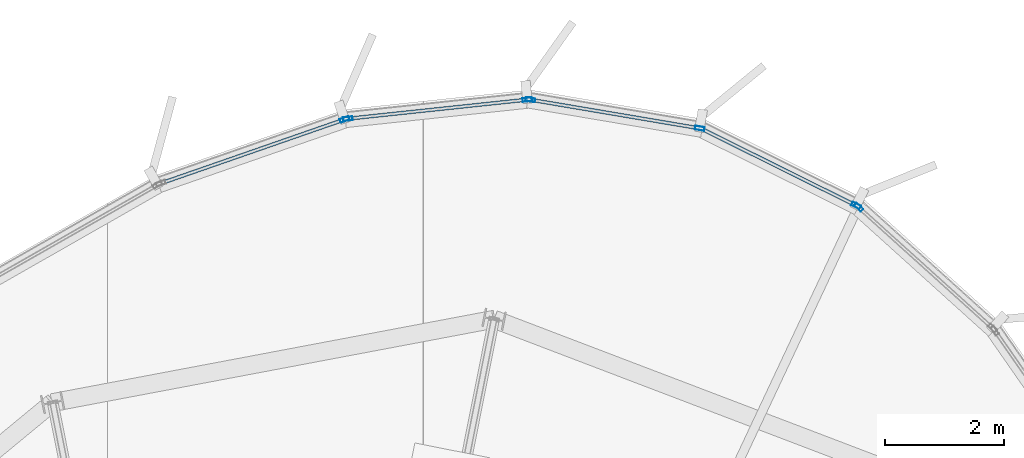
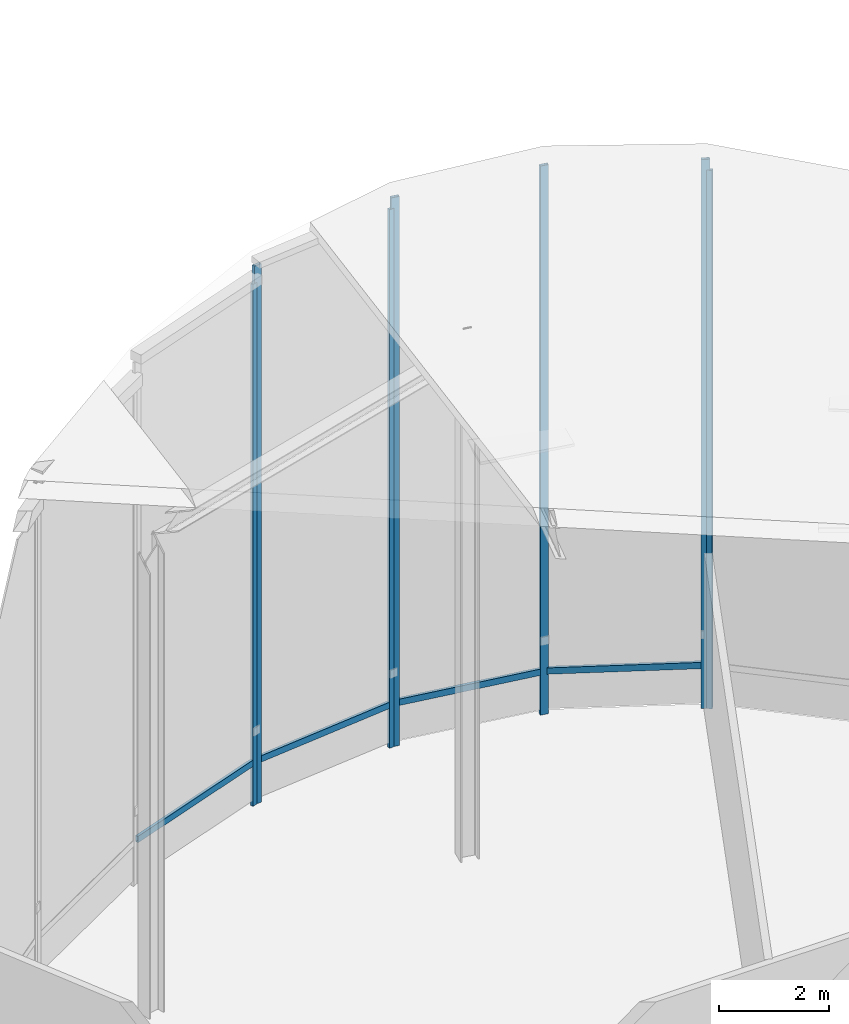
# One storey, part 22 of 36: 11 members, 5 elements without a shape of their own.
"""IFC4 building model written with IfcOpenShell, lengths in metres."""

from ifc_helpers import new_model, si_unit, direction, frame, origin, origin_2d, place, context, subcontext, project, spatial, hollow_rectangle, extrude, source, transform, mapped, material, layer, layer_set, material_profile, profile_set, type_object, element, aggregate, save


model = new_model("IFC4")

# Units and contexts
model_context = context("Model", 3, precision=1e-05, world=origin(), true_north=direction((0.0, 1.0)))
body_context = subcontext(model_context, "Body", "Model", "MODEL_VIEW")
ifc_project = project(units=[si_unit("LENGTHUNIT", "METRE"), si_unit("AREAUNIT", "SQUARE_METRE"), si_unit("VOLUMEUNIT", "CUBIC_METRE"), si_unit("PLANEANGLEUNIT", "RADIAN"), si_unit("MASSUNIT", "GRAM", prefix="KILO"), si_unit("THERMODYNAMICTEMPERATUREUNIT", "KELVIN")], contexts=[model_context])

# Site, building, storey
site_placement = place(None, origin())
site = spatial("IfcSite", under=ifc_project, at=site_placement, CompositionType="ELEMENT")
building_placement = place(site_placement, origin())
building = spatial("IfcBuilding", under=site, at=building_placement, Name="Kethvar Cultural Tower", CompositionType="ELEMENT")
storey_placement = place(building_placement, frame((0.0, 0.0, 324.300048828125)))
storey = spatial("IfcBuildingStorey", under=building, at=storey_placement, Name="L86", CompositionType="ELEMENT", Elevation=324.300048828125)

# Curtain wall, members
ifc_material = material(Name="Aluminium 6063-T6", Category="aluminium")
ifc_layer = layer(ifc_material, 0.179931640625, Name="Aluminium 6063-T6", Category="aluminium")
ifc_layer_set = layer_set([ifc_layer], Name="Aluminium 6063-T6 (180 mm)")
curtain_wall_type = type_object("IfcCurtainWallType", Name="CW-SYS-06-CROWN", PredefinedType="NOTDEFINED", material=ifc_layer_set)
curtain_wall_1_placement = place(storey_placement, origin())
curtain_wall_1 = element("IfcCurtainWall", 1, at=curtain_wall_1_placement, inside=storey, type_object=curtain_wall_type, Name="L86 Curtain Wall Run 01", PredefinedType="NOTDEFINED")
ifc_material_profile_1 = material_profile(ifc_material, hollow_rectangle(XDim=0.06494140625, YDim=0.159912109375, WallThickness=0.0048828125, at=origin_2d()), Name="Aluminium 6063-T6 — RHS160x65x5")
ifc_profile_set_1 = profile_set([ifc_material_profile_1], Name="Aluminium 6063-T6 — RHS160x65x5")
member_type_1 = type_object("IfcMemberType", Name="CW-SYS-06-CROWN-MUL", PredefinedType="MULLION", material=ifc_profile_set_1)
shared_shape_1 = source(origin(), body_context, "Body", "SweptSolid", [
    extrude(hollow_rectangle(XDim=0.06494140625, YDim=0.159912109375, WallThickness=0.0048828125, at=origin_2d()), origin(), (0.0, 0.0, 1.0), 12.135498046875),
])
member_1_placement = place(storey_placement, frame((54.097412109375, 50.33740234375, 0.0), z_axis=(0.0, 0.0, 1.0), x_axis=(-0.16673432886, -0.986001857797, 0.0)))
member_1 = element("IfcMember", 2, at=member_1_placement, type_object=member_type_1, Name="CW-L86-R01 Mullion 1", PredefinedType="MULLION", context=body_context, shape_type="MappedRepresentation", body=[
    mapped(shared_shape_1, transform((0.0, 0.0, 0.0), scale=1.0)),
])
member_2_placement = place(storey_placement, frame((51.255859375, 50.81787109375, 0.0), z_axis=(0.0, 0.0, 1.0), x_axis=(-0.16673432886, -0.986001857797, 0.0)))
member_2 = element("IfcMember", 3, at=member_2_placement, type_object=member_type_1, Name="CW-L86-R01 Mullion 2", PredefinedType="MULLION", context=body_context, shape_type="MappedRepresentation", body=[
    mapped(shared_shape_1, transform((0.0, 0.0, 0.0), scale=1.0)),
])

# Curtain wall, member
curtain_wall_2_placement = place(storey_placement, origin())
curtain_wall_2 = element("IfcCurtainWall", 4, at=curtain_wall_2_placement, inside=storey, type_object=curtain_wall_type, Name="L86 Curtain Wall Run 36", PredefinedType="NOTDEFINED")
member_3_placement = place(storey_placement, frame((56.724609375, 49.041015625, 0.0), z_axis=(0.0, 0.0, 1.0), x_axis=(-0.444666445153, -0.895696238998, 0.0)))
member_3 = element("IfcMember", 5, at=member_3_placement, type_object=member_type_1, Name="CW-L86-R36 Mullion 1", PredefinedType="MULLION", context=body_context, shape_type="MappedRepresentation", body=[
    mapped(shared_shape_1, transform((0.0, 0.0, 0.0), scale=1.0)),
])

# Member
ifc_material_profile_2 = material_profile(ifc_material, hollow_rectangle(XDim=0.06005859375, YDim=0.139892578125, WallThickness=0.0048828125, at=origin_2d()), Name="Aluminium 6063-T6 — RHS140x60x5")
ifc_profile_set_2 = profile_set([ifc_material_profile_2], Name="Aluminium 6063-T6 — RHS140x60x5")
member_type_2 = type_object("IfcMemberType", Name="CW-SYS-06-CROWN-TRN", PredefinedType="USERDEFINED", material=ifc_profile_set_2)
shared_shape_2 = source(origin(), body_context, "Body", "SweptSolid", [
    extrude(hollow_rectangle(XDim=0.06005859375, YDim=0.139892578125, WallThickness=0.0048828125, at=origin_2d()), origin(), (0.0, 0.0, 1.0), 2.872802734375),
])
member_4_placement = place(storey_placement, frame((54.0927734375, 50.338134765625, 0.949951171875), z_axis=(-0.986000668038, 0.166741364479, 0.0), x_axis=(-0.166741364479, -0.986000668038, 0.0)))
member_4 = element("IfcMember", 6, at=member_4_placement, type_object=member_type_2, Name="CW-L86-R01 Transom 1", ObjectType="TRANSOM", PredefinedType="USERDEFINED", context=body_context, shape_type="MappedRepresentation", body=[
    mapped(shared_shape_2, transform((0.0, 0.0, 0.0), scale=1.0)),
])

aggregate(curtain_wall_1, [member_1, member_2, member_4])

# Curtain wall, members
curtain_wall_3_placement = place(storey_placement, origin())
curtain_wall_3 = element("IfcCurtainWall", 7, at=curtain_wall_3_placement, inside=storey, type_object=curtain_wall_type, Name="L86 Curtain Wall Run 02", PredefinedType="NOTDEFINED")
shared_shape_3 = source(origin(), body_context, "Body", "SweptSolid", [
    extrude(hollow_rectangle(XDim=0.06494140625, YDim=0.159912109375, WallThickness=0.0048828125, at=origin_2d()), origin(), (0.0, 0.0, 1.0), 11.900390625),
])
member_5_placement = place(storey_placement, frame((51.204833984375, 50.819580078125, 0.0), z_axis=(0.0, 0.0, 1.0), x_axis=(0.105639289446, -0.99440451554, 0.0)))
member_5 = element("IfcMember", 8, at=member_5_placement, type_object=member_type_1, Name="CW-L86-R02 Mullion 1", PredefinedType="MULLION", context=body_context, shape_type="MappedRepresentation", body=[
    mapped(shared_shape_3, transform((0.0, 0.0, 0.0), scale=1.0)),
])
member_6_placement = place(storey_placement, frame((48.190185546875, 50.499267578125, 0.0), z_axis=(0.0, 0.0, 1.0), x_axis=(0.105639289446, -0.99440451554, 0.0)))
member_6 = element("IfcMember", 9, at=member_6_placement, type_object=member_type_1, Name="CW-L86-R02 Mullion 2", PredefinedType="MULLION", context=body_context, shape_type="MappedRepresentation", body=[
    mapped(shared_shape_3, transform((0.0, 0.0, 0.0), scale=1.0)),
])

# Curtain wall, member
curtain_wall_4_placement = place(storey_placement, origin())
curtain_wall_4 = element("IfcCurtainWall", 10, at=curtain_wall_4_placement, inside=storey, type_object=curtain_wall_type, Name="L86 Curtain Wall Run 35", PredefinedType="NOTDEFINED")
member_7_placement = place(storey_placement, frame((56.766845703125, 49.01220703125, 0.0), z_axis=(0.0, 0.0, 1.0), x_axis=(-0.669986203616, -0.742373549478, 0.0)))
member_7 = element("IfcMember", 11, at=member_7_placement, type_object=member_type_1, Name="CW-L86-R35 Mullion 2", PredefinedType="MULLION", context=body_context, shape_type="MappedRepresentation", body=[
    mapped(shared_shape_3, transform((0.0, 0.0, 0.0), scale=1.0)),
])
aggregate(curtain_wall_4, [member_7])

# Member
shared_shape_4 = source(origin(), body_context, "Body", "SweptSolid", [
    extrude(hollow_rectangle(XDim=0.06005859375, YDim=0.139892578125, WallThickness=0.0048828125, at=origin_2d()), origin(), (0.0, 0.0, 1.0), 3.0224609375),
])
member_8_placement = place(storey_placement, frame((51.2001953125, 50.819091796875, 0.949951171875), z_axis=(-0.994403185922, -0.105651804661, 0.0), x_axis=(0.105651804661, -0.994403185922, 0.0)))
member_8 = element("IfcMember", 12, at=member_8_placement, type_object=member_type_2, Name="CW-L86-R02 Transom 1", ObjectType="TRANSOM", PredefinedType="USERDEFINED", context=body_context, shape_type="MappedRepresentation", body=[
    mapped(shared_shape_4, transform((0.0, 0.0, 0.0), scale=1.0)),
])

aggregate(curtain_wall_3, [member_5, member_6, member_8])

# Curtain wall, members
curtain_wall_5_placement = place(storey_placement, origin())
curtain_wall_5 = element("IfcCurtainWall", 13, at=curtain_wall_5_placement, inside=storey, type_object=curtain_wall_type, Name="L86 Curtain Wall Run 03", PredefinedType="NOTDEFINED")
shared_shape_5 = source(origin(), body_context, "Body", "SweptSolid", [
    extrude(hollow_rectangle(XDim=0.06494140625, YDim=0.159912109375, WallThickness=0.0048828125, at=origin_2d()), origin(), (0.0, 0.0, 1.0), 11.52587890625),
])
member_9_placement = place(storey_placement, frame((48.135009765625, 50.48681640625, 0.0), z_axis=(0.0, 0.0, 1.0), x_axis=(0.32840509813, -0.944536972025, 0.0)))
member_9 = element("IfcMember", 14, at=member_9_placement, type_object=member_type_1, Name="CW-L86-R03 Mullion 1", PredefinedType="MULLION", context=body_context, shape_type="MappedRepresentation", body=[
    mapped(shared_shape_5, transform((0.0, 0.0, 0.0), scale=1.0)),
])
shared_shape_6 = source(origin(), body_context, "Body", "SweptSolid", [
    extrude(hollow_rectangle(XDim=0.06005859375, YDim=0.139892578125, WallThickness=0.0048828125, at=origin_2d()), origin(), (0.0, 0.0, 1.0), 3.2568359375),
])
member_10_placement = place(storey_placement, frame((48.130615234375, 50.4853515625, 0.949951171875), z_axis=(-0.944534208889, -0.32841304517, 0.0), x_axis=(0.32841304517, -0.944534208889, 0.0)))
member_10 = element("IfcMember", 15, at=member_10_placement, type_object=member_type_2, Name="CW-L86-R03 Transom 1", ObjectType="TRANSOM", PredefinedType="USERDEFINED", context=body_context, shape_type="MappedRepresentation", body=[
    mapped(shared_shape_6, transform((0.0, 0.0, 0.0), scale=1.0)),
])
aggregate(curtain_wall_5, [member_9, member_10])

# Member
shared_shape_7 = source(origin(), body_context, "Body", "SweptSolid", [
    extrude(hollow_rectangle(XDim=0.06005859375, YDim=0.139892578125, WallThickness=0.0048828125, at=origin_2d()), origin(), (0.0, 0.0, 1.0), 2.87255859375),
])
member_11_placement = place(storey_placement, frame((56.720703125, 49.04296875, 0.949951171875), z_axis=(-0.895698390963, 0.444662110401, 0.0), x_axis=(-0.444662110401, -0.895698390963, 0.0)))
member_11 = element("IfcMember", 16, at=member_11_placement, type_object=member_type_2, Name="CW-L86-R36 Transom 1", ObjectType="TRANSOM", PredefinedType="USERDEFINED", context=body_context, shape_type="MappedRepresentation", body=[
    mapped(shared_shape_7, transform((0.0, 0.0, 0.0), scale=1.0)),
])

aggregate(curtain_wall_2, [member_3, member_11])

save(model, "model.ifc")
